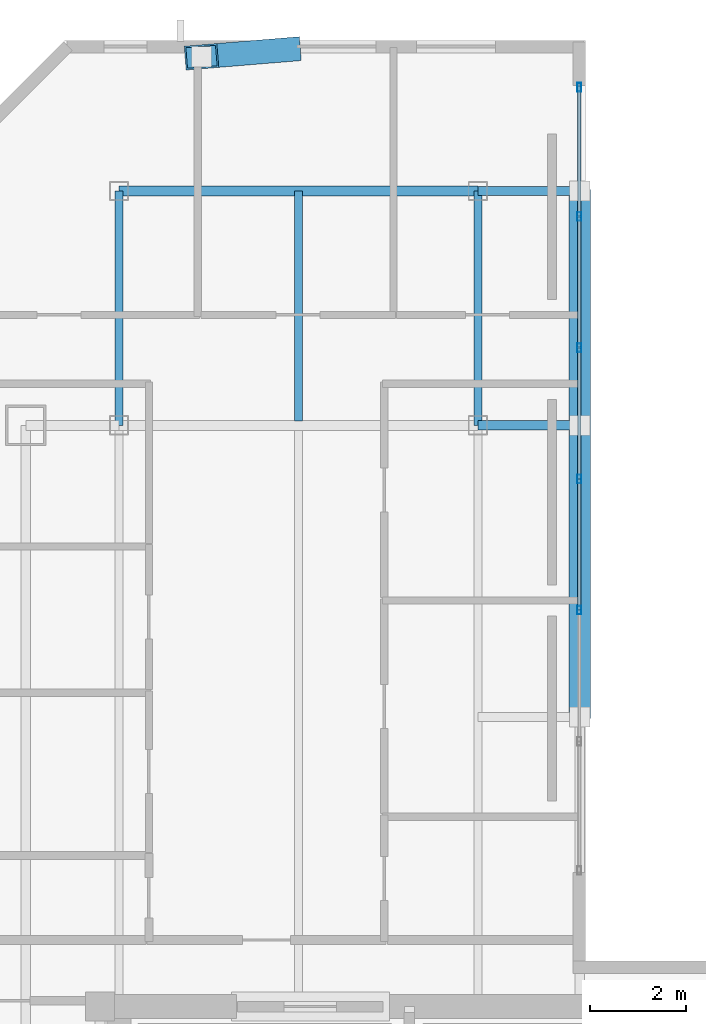
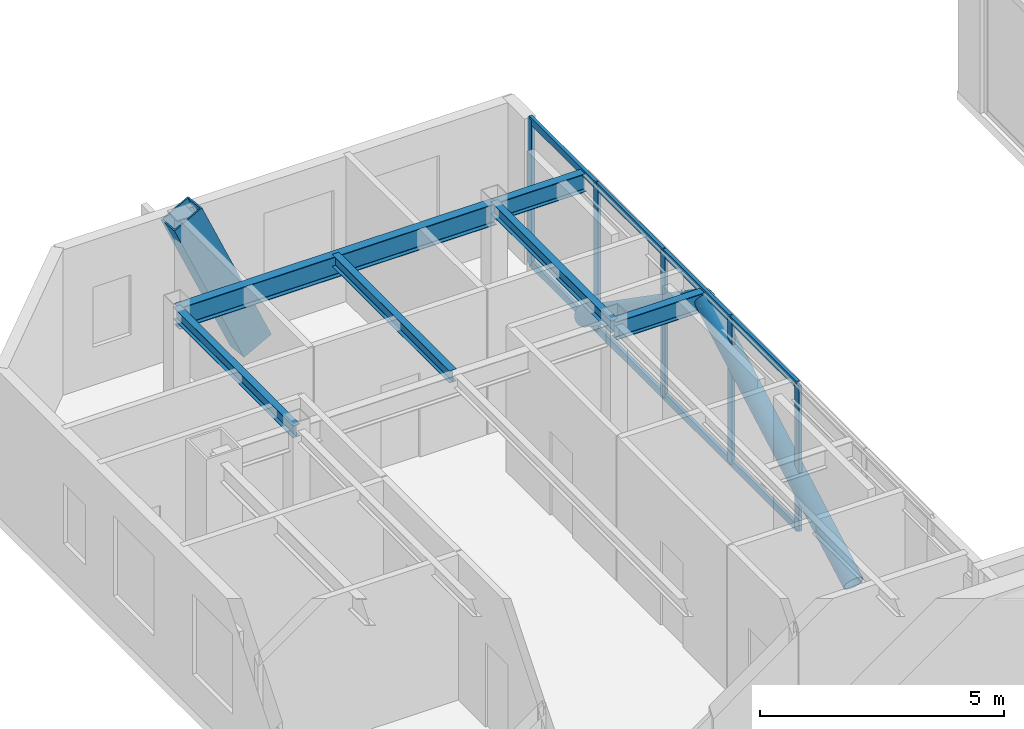
# One storey, part 8 of 18: 16 members, 6 beams, 1 element without a shape of its own.
"""IFC4 building model written with IfcOpenShell, lengths in metres."""

from ifc_helpers import new_model, si_unit, direction, frame, origin, origin_2d, place, context, subcontext, project, spatial, hollow_rectangle, hollow_circle, i_section, extrude, material, material_profile, profile_set, type_object, element, aggregate, save


model = new_model("IFC4")

# Units and contexts
model_context = context("Model", 3, precision=1e-05, world=origin(), true_north=direction((0.0, 1.0)))
body_context = subcontext(model_context, "Body", "Model", "MODEL_VIEW")
ifc_project = project(units=[si_unit("LENGTHUNIT", "METRE"), si_unit("AREAUNIT", "SQUARE_METRE"), si_unit("VOLUMEUNIT", "CUBIC_METRE"), si_unit("PLANEANGLEUNIT", "RADIAN"), si_unit("MASSUNIT", "GRAM", prefix="KILO")], contexts=[model_context])

# Site, building, storey
site_placement = place(None, origin())
site = spatial("IfcSite", under=ifc_project, at=site_placement, CompositionType="ELEMENT")
building_placement = place(site_placement, origin())
building = spatial("IfcBuilding", under=site, at=building_placement, Name="Ventersveld Concourse Tower", CompositionType="ELEMENT")
storey_placement = place(building_placement, frame((0.0, 0.0, 341.35009765625)))
storey = spatial("IfcBuildingStorey", under=building, at=storey_placement, Name="L84", CompositionType="ELEMENT", Elevation=341.35009765625)

# Beams
ifc_material_1 = material(Name="Structural steel S355J2", Category="steel")
ifc_material_profile_1 = material_profile(ifc_material_1, i_section(OverallWidth=0.1650390625, OverallDepth=0.303466796875, WebThickness=0.006103515625, FlangeThickness=0.01025390625, FilletRadius=0.0087890625, at=origin_2d()), Name="UB 305x165x40")
ifc_profile_set_1 = profile_set([ifc_material_profile_1], Name="Structural steel S355J2")
beam_type_1 = type_object("IfcBeamType", Name="BM-UB305", PredefinedType="BEAM", material=ifc_profile_set_1)
beam_1_placement = place(storey_placement, frame((13.75, 23.60009765625, 3.478271484375), z_axis=(0.0, 1.0, 0.0), x_axis=(-1.0, 0.0, 0.0)))
element("IfcBeam", 1, at=beam_1_placement, inside=storey, type_object=beam_type_1, Name="L84 N-S Upper-Zone Floor Beam X=13.75", PredefinedType="BEAM", context=body_context, shape_type="SweptSolid", body=[
    extrude(i_section(OverallWidth=0.1650390625, OverallDepth=0.303466796875, WebThickness=0.006103515625, FlangeThickness=0.01025390625, FilletRadius=0.0087890625, at=origin_2d()), origin(), (0.0, 0.0, 1.0), 4.89990234375),
])
beam_2_placement = place(storey_placement, frame((17.5, 23.695068359375, 3.478271484375), z_axis=(0.0, 1.0, 0.0), x_axis=(-1.0, 0.0, 0.0)))
element("IfcBeam", 2, at=beam_2_placement, inside=storey, type_object=beam_type_1, Name="L84 N-S Upper-Zone Floor Beam X=17.50", PredefinedType="BEAM", context=body_context, shape_type="SweptSolid", body=[
    extrude(i_section(OverallWidth=0.1650390625, OverallDepth=0.303466796875, WebThickness=0.006103515625, FlangeThickness=0.01025390625, FilletRadius=0.0087890625, at=origin_2d()), origin(), (0.0, 0.0, 1.0), 4.804931640625),
])
beam_3_placement = place(storey_placement, frame((21.25, 23.60009765625, 3.478271484375), z_axis=(0.0, 1.0, 0.0), x_axis=(-1.0, 0.0, 0.0)))
element("IfcBeam", 3, at=beam_3_placement, inside=storey, type_object=beam_type_1, Name="L84 N-S Upper-Zone Floor Beam X=21.25", PredefinedType="BEAM", context=body_context, shape_type="SweptSolid", body=[
    extrude(i_section(OverallWidth=0.1650390625, OverallDepth=0.303466796875, WebThickness=0.006103515625, FlangeThickness=0.01025390625, FilletRadius=0.0087890625, at=origin_2d()), origin(), (0.0, 0.0, 1.0), 4.89990234375),
])

# Curtain wall, members
ifc_material_2 = material(Name="Anodised aluminium EN AW-6063-T6", Category="aluminium")
curtain_wall_type = type_object("IfcCurtainWallType", Name="CW-WP-5", PredefinedType="NOTDEFINED", material=ifc_material_2)
curtain_wall_placement = place(storey_placement, origin())
curtain_wall = element("IfcCurtainWall", 4, at=curtain_wall_placement, inside=storey, type_object=curtain_wall_type, Name="L84 L84 Wind Portal Aerodynamic Cheek Curtain Wall", PredefinedType="NOTDEFINED")
ifc_material_profile_2 = material_profile(ifc_material_2, hollow_rectangle(XDim=0.074951171875, YDim=0.179931640625, WallThickness=0.00390625, at=origin_2d()), Name="ALU 180x75x4")
ifc_profile_set_2 = profile_set([ifc_material_profile_2], Name="Anodised aluminium EN AW-6063-T6")
member_type_1 = type_object("IfcMemberType", Name="CWM-180x75", PredefinedType="MULLION", material=ifc_profile_set_2)
member_1_placement = place(storey_placement, frame((23.3701171875, 19.736083984375, 0.0), z_axis=(0.0, 0.0, 1.0), x_axis=(1.0, 0.0, 0.0)))
member_1 = element("IfcMember", 5, at=member_1_placement, type_object=member_type_1, Name="CW-L84-WP-W Mullion 03", PredefinedType="MULLION", context=body_context, shape_type="SweptSolid", body=[
    extrude(hollow_rectangle(XDim=0.074951171875, YDim=0.179931640625, WallThickness=0.00390625, at=origin_2d()), origin(), (0.0, 0.0, 1.0), 3.6298828125),
])
member_2_placement = place(storey_placement, frame((23.3701171875, 22.47900390625, 0.0), z_axis=(0.0, 0.0, 1.0), x_axis=(1.0, 0.0, 0.0)))
member_2 = element("IfcMember", 6, at=member_2_placement, type_object=member_type_1, Name="CW-L84-WP-W Mullion 04", PredefinedType="MULLION", context=body_context, shape_type="SweptSolid", body=[
    extrude(hollow_rectangle(XDim=0.074951171875, YDim=0.179931640625, WallThickness=0.00390625, at=origin_2d()), origin(), (0.0, 0.0, 1.0), 3.6298828125),
])
member_3_placement = place(storey_placement, frame((23.3701171875, 25.22216796875, 0.0), z_axis=(0.0, 0.0, 1.0), x_axis=(1.0, 0.0, 0.0)))
member_3 = element("IfcMember", 7, at=member_3_placement, type_object=member_type_1, Name="CW-L84-WP-W Mullion 05", PredefinedType="MULLION", context=body_context, shape_type="SweptSolid", body=[
    extrude(hollow_rectangle(XDim=0.074951171875, YDim=0.179931640625, WallThickness=0.00390625, at=origin_2d()), origin(), (0.0, 0.0, 1.0), 3.6298828125),
])
member_4_placement = place(storey_placement, frame((23.3701171875, 27.965087890625, 0.0), z_axis=(0.0, 0.0, 1.0), x_axis=(1.0, 0.0, 0.0)))
member_4 = element("IfcMember", 8, at=member_4_placement, type_object=member_type_1, Name="CW-L84-WP-W Mullion 06", PredefinedType="MULLION", context=body_context, shape_type="SweptSolid", body=[
    extrude(hollow_rectangle(XDim=0.074951171875, YDim=0.179931640625, WallThickness=0.00390625, at=origin_2d()), origin(), (0.0, 0.0, 1.0), 3.6298828125),
])
member_5_placement = place(storey_placement, frame((23.3701171875, 30.668212890625, 0.0), z_axis=(0.0, 0.0, 1.0), x_axis=(1.0, 0.0, 0.0)))
member_5 = element("IfcMember", 9, at=member_5_placement, type_object=member_type_1, Name="CW-L84-WP-W Mullion 07", PredefinedType="MULLION", context=body_context, shape_type="SweptSolid", body=[
    extrude(hollow_rectangle(XDim=0.074951171875, YDim=0.179931640625, WallThickness=0.00390625, at=origin_2d()), origin(), (0.0, 0.0, 1.0), 3.6298828125),
])
ifc_material_profile_3 = material_profile(ifc_material_2, hollow_rectangle(XDim=0.074951171875, YDim=0.179931640625, WallThickness=0.00390625, at=origin_2d()), Name="ALU 180x75x4")
ifc_profile_set_3 = profile_set([ifc_material_profile_3], Name="Anodised aluminium EN AW-6063-T6")
member_type_2 = type_object("IfcMemberType", Name="CWT-180x75", PredefinedType="USERDEFINED", material=ifc_profile_set_3)
member_6_placement = place(storey_placement, frame((23.3701171875, 19.74609375, 0.02978515625), z_axis=(0.0, 1.0, 0.0), x_axis=(-1.0, 0.0, 0.0)))
member_6 = element("IfcMember", 10, at=member_6_placement, type_object=member_type_2, Name="CW-L84-WP-W Transom 1-03", ObjectType="TRANSOM", PredefinedType="USERDEFINED", context=body_context, shape_type="SweptSolid", body=[
    extrude(hollow_rectangle(XDim=0.074951171875, YDim=0.179931640625, WallThickness=0.00390625, at=origin_2d()), origin(), (0.0, 0.0, 1.0), 2.722900390625),
])
member_7_placement = place(storey_placement, frame((23.3701171875, 22.489013671875, 0.02978515625), z_axis=(0.0, 1.0, 0.0), x_axis=(-1.0, 0.0, 0.0)))
member_7 = element("IfcMember", 11, at=member_7_placement, type_object=member_type_2, Name="CW-L84-WP-W Transom 1-04", ObjectType="TRANSOM", PredefinedType="USERDEFINED", context=body_context, shape_type="SweptSolid", body=[
    extrude(hollow_rectangle(XDim=0.074951171875, YDim=0.179931640625, WallThickness=0.00390625, at=origin_2d()), origin(), (0.0, 0.0, 1.0), 2.72314453125),
])
member_8_placement = place(storey_placement, frame((23.3701171875, 25.232177734375, 0.02978515625), z_axis=(0.0, 1.0, 0.0), x_axis=(-1.0, 0.0, 0.0)))
member_8 = element("IfcMember", 12, at=member_8_placement, type_object=member_type_2, Name="CW-L84-WP-W Transom 1-05", ObjectType="TRANSOM", PredefinedType="USERDEFINED", context=body_context, shape_type="SweptSolid", body=[
    extrude(hollow_rectangle(XDim=0.074951171875, YDim=0.179931640625, WallThickness=0.00390625, at=origin_2d()), origin(), (0.0, 0.0, 1.0), 2.722900390625),
])
member_9_placement = place(storey_placement, frame((23.3701171875, 27.97509765625, 0.02978515625), z_axis=(0.0, 1.0, 0.0), x_axis=(-1.0, 0.0, 0.0)))
member_9 = element("IfcMember", 13, at=member_9_placement, type_object=member_type_2, Name="CW-L84-WP-W Transom 1-06", ObjectType="TRANSOM", PredefinedType="USERDEFINED", context=body_context, shape_type="SweptSolid", body=[
    extrude(hollow_rectangle(XDim=0.074951171875, YDim=0.179931640625, WallThickness=0.00390625, at=origin_2d()), origin(), (0.0, 0.0, 1.0), 2.712890625),
])
member_10_placement = place(storey_placement, frame((23.3701171875, 19.74609375, 3.599853515625), z_axis=(0.0, 1.0, 0.0), x_axis=(-1.0, 0.0, 0.0)))
member_10 = element("IfcMember", 14, at=member_10_placement, type_object=member_type_2, Name="CW-L84-WP-W Transom 2-03", ObjectType="TRANSOM", PredefinedType="USERDEFINED", context=body_context, shape_type="SweptSolid", body=[
    extrude(hollow_rectangle(XDim=0.074951171875, YDim=0.179931640625, WallThickness=0.00390625, at=origin_2d()), origin(), (0.0, 0.0, 1.0), 2.722900390625),
])
member_11_placement = place(storey_placement, frame((23.3701171875, 22.489013671875, 3.599853515625), z_axis=(0.0, 1.0, 0.0), x_axis=(-1.0, 0.0, 0.0)))
member_11 = element("IfcMember", 15, at=member_11_placement, type_object=member_type_2, Name="CW-L84-WP-W Transom 2-04", ObjectType="TRANSOM", PredefinedType="USERDEFINED", context=body_context, shape_type="SweptSolid", body=[
    extrude(hollow_rectangle(XDim=0.074951171875, YDim=0.179931640625, WallThickness=0.00390625, at=origin_2d()), origin(), (0.0, 0.0, 1.0), 2.72314453125),
])
member_12_placement = place(storey_placement, frame((23.3701171875, 25.232177734375, 3.599853515625), z_axis=(0.0, 1.0, 0.0), x_axis=(-1.0, 0.0, 0.0)))
member_12 = element("IfcMember", 16, at=member_12_placement, type_object=member_type_2, Name="CW-L84-WP-W Transom 2-05", ObjectType="TRANSOM", PredefinedType="USERDEFINED", context=body_context, shape_type="SweptSolid", body=[
    extrude(hollow_rectangle(XDim=0.074951171875, YDim=0.179931640625, WallThickness=0.00390625, at=origin_2d()), origin(), (0.0, 0.0, 1.0), 2.722900390625),
])
member_13_placement = place(storey_placement, frame((23.3701171875, 27.97509765625, 3.599853515625), z_axis=(0.0, 1.0, 0.0), x_axis=(-1.0, 0.0, 0.0)))
member_13 = element("IfcMember", 17, at=member_13_placement, type_object=member_type_2, Name="CW-L84-WP-W Transom 2-06", ObjectType="TRANSOM", PredefinedType="USERDEFINED", context=body_context, shape_type="SweptSolid", body=[
    extrude(hollow_rectangle(XDim=0.074951171875, YDim=0.179931640625, WallThickness=0.00390625, at=origin_2d()), origin(), (0.0, 0.0, 1.0), 2.712890625),
])
aggregate(curtain_wall, [member_1, member_2, member_3, member_4, member_5, member_6, member_7, member_8, member_9, member_10, member_11, member_12, member_13])

# Beam
ifc_material_profile_4 = material_profile(ifc_material_1, i_section(OverallWidth=0.209228515625, OverallDepth=0.533203125, WebThickness=0.010009765625, FlangeThickness=0.015625, FilletRadius=0.0126953125, at=origin_2d()), Name="UB 533x210x92")
ifc_profile_set_4 = profile_set([ifc_material_profile_4], Name="Structural steel S355J2")
beam_type_2 = type_object("IfcBeamType", Name="GRD-UB533", PredefinedType="T_BEAM", material=ifc_profile_set_4)
beam_4_placement = place(storey_placement, frame((13.75, 28.5, 3.36328125), z_axis=(1.0, 0.0, 0.0), x_axis=(0.0, 1.0, 0.0)))
element("IfcBeam", 18, at=beam_4_placement, inside=storey, type_object=beam_type_2, Name="L84 North Girder Y=28.50 W", PredefinedType="T_BEAM", context=body_context, shape_type="SweptSolid", body=[
    extrude(i_section(OverallWidth=0.209228515625, OverallDepth=0.533203125, WebThickness=0.010009765625, FlangeThickness=0.015625, FilletRadius=0.0126953125, at=origin_2d()), origin(), (0.0, 0.0, 1.0), 7.5),
])

# Member
ifc_material_3 = material(Name="Structural steel S355ML", Category="steel")
ifc_material_profile_5 = material_profile(ifc_material_3, hollow_rectangle(XDim=0.5, YDim=0.75, WallThickness=0.034912109375, at=origin_2d()), Name="BOX 750x500x35")
ifc_profile_set_5 = profile_set([ifc_material_profile_5], Name="Structural steel S355ML")
member_type_3 = type_object("IfcMemberType", Name="MB-750x500", PredefinedType="BRACE", material=ifc_profile_set_5)
member_14_placement = place(storey_placement, frame((17.19775390625, 31.446044921875, -0.22021484375), z_axis=(-0.40842455053, -0.033606382079, 0.912173227851), x_axis=(0.082005821426, -0.99663185041, 0.0)))
element("IfcMember", 19, at=member_14_placement, inside=storey, type_object=member_type_3, Name="L84 Exterior Mega-Brace N (Module M20)", PredefinedType="BRACE", context=body_context, shape_type="SweptSolid", body=[
    extrude(hollow_rectangle(XDim=0.5, YDim=0.75, WallThickness=0.034912109375, at=origin_2d()), origin(), (0.0, 0.0, 1.0), 4.220703125),
])

# Beams
ifc_material_profile_6 = material_profile(ifc_material_1, i_section(OverallWidth=0.19140625, OverallDepth=0.4599609375, WebThickness=0.010009765625, FlangeThickness=0.01611328125, FilletRadius=0.01025390625, at=origin_2d()), Name="UB 457x191x82")
ifc_profile_set_6 = profile_set([ifc_material_profile_6], Name="Structural steel S355J2")
beam_type_3 = type_object("IfcBeamType", Name="SPD-UB457", PredefinedType="SPANDREL", material=ifc_profile_set_6)
for number, where, z_axis, x_axis, name in (
    (20, (21.25, 23.60009765625, 3.39990234375), (1.0, 0.0, 0.0), (0.0, 1.0, 0.0), "L84 Wind Portal West Tie YD"),
    (21, (21.25, 28.5, 3.39990234375), (1.0, 0.0, 0.0), (0.0, 1.0, 0.0), "L84 Wind Portal West Tie YN"),
):
    element("IfcBeam", number, at=place(storey_placement, frame(where, z_axis=z_axis, x_axis=x_axis)), inside=storey, type_object=beam_type_3, Name=name, PredefinedType="SPANDREL", context=body_context, shape_type="SweptSolid", body=[
        extrude(i_section(OverallWidth=0.19140625, OverallDepth=0.4599609375, WebThickness=0.010009765625, FlangeThickness=0.01611328125, FilletRadius=0.01025390625, at=origin_2d()), origin(), (0.0, 0.0, 1.0), 2.1298828125),
    ])

# Members
ifc_material_profile_7 = material_profile(ifc_material_3, hollow_circle(Radius=0.228515625, WallThickness=0.02001953125, at=origin_2d()), Name="CHS 457x20")
ifc_profile_set_7 = profile_set([ifc_material_profile_7], Name="Structural steel S355ML")
member_type_4 = type_object("IfcMemberType", Name="STR-WP-457", PredefinedType="STRUT", material=ifc_profile_set_7)
member_15_placement = place(storey_placement, frame((23.3798828125, 17.5, 0.0), z_axis=(0.0, 0.872880467892, 0.4879341029), x_axis=(-1.0, 0.0, 0.0)))
element("IfcMember", 22, at=member_15_placement, inside=storey, type_object=member_type_4, Name="L84 Wind Portal Edge Brace Strut W1", PredefinedType="STRUT", context=body_context, shape_type="SweptSolid", body=[
    extrude(hollow_circle(Radius=0.228515625, WallThickness=0.02001953125, at=origin_2d()), origin(), (0.0, 0.0, 1.0), 6.988525390625),
])
member_16_placement = place(storey_placement, frame((23.3798828125, 28.5, 0.0), z_axis=(0.0, -0.820804326892, 0.571209468545), x_axis=(1.0, 0.0, 0.0)))
element("IfcMember", 23, at=member_16_placement, inside=storey, type_object=member_type_4, Name="L84 Wind Portal Edge Brace Strut W2", PredefinedType="STRUT", context=body_context, shape_type="SweptSolid", body=[
    extrude(hollow_circle(Radius=0.228515625, WallThickness=0.02001953125, at=origin_2d()), origin(), (0.0, 0.0, 1.0), 5.9697265625),
])

save(model, "model.ifc")
